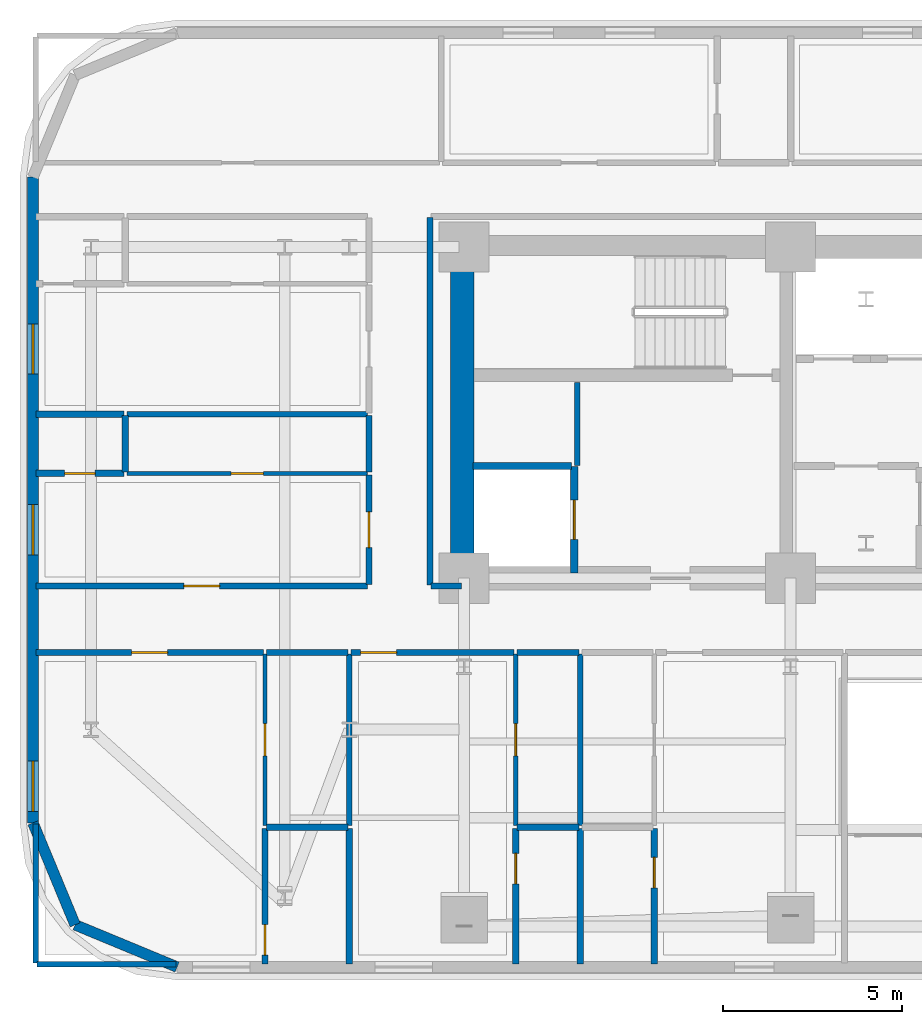
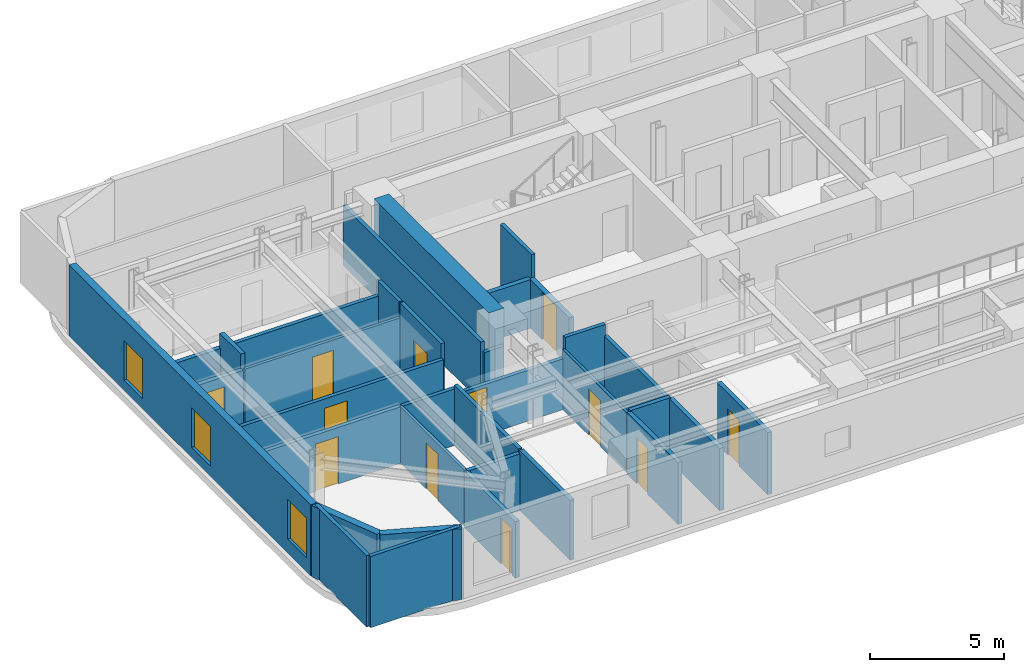
# One storey, part 8 of 16: 34 walls, 12 doors, 3 windows, 15 openings.
"""IFC4 building model written with IfcOpenShell, lengths in metres."""

from ifc_helpers import new_model, si_unit, direction, frame, frame_2d, origin, place, context, subcontext, project, spatial, rectangle, extrude, material, layer, layer_set, type_object, element, fill, save


model = new_model("IFC4")

# Units and contexts
model_context = context("Model", 3, precision=1e-05, world=origin(), true_north=direction((0.0, 1.0)))
body_context = subcontext(model_context, "Body", "Model", "MODEL_VIEW")
ifc_project = project(units=[si_unit("LENGTHUNIT", "METRE"), si_unit("AREAUNIT", "SQUARE_METRE"), si_unit("VOLUMEUNIT", "CUBIC_METRE"), si_unit("PLANEANGLEUNIT", "RADIAN"), si_unit("MASSUNIT", "GRAM", prefix="KILO")], contexts=[model_context])

# Site, building, storey
site_placement = place(None, origin())
site = spatial("IfcSite", under=ifc_project, at=site_placement, CompositionType="ELEMENT")
building_placement = place(site_placement, origin())
building = spatial("IfcBuilding", under=site, at=building_placement, Name="Zarnavel Station Tower", CompositionType="ELEMENT")
storey_placement = place(building_placement, frame((0.0, 0.0, 86.300048828125)))
storey = spatial("IfcBuildingStorey", under=building, at=storey_placement, Name="L23", CompositionType="ELEMENT", Elevation=86.300048828125)

# Wall
ifc_material_1 = material(Name="Concrete C60/75", Category="concrete")
ifc_layer_1 = layer(ifc_material_1, 0.64990234375)
ifc_layer_set_1 = layer_set([ifc_layer_1], Name="CW_650")
wall_type_1 = type_object("IfcWallType", Name="CW_650", PredefinedType="SHEAR", material=ifc_layer_set_1)
wall_1_placement = place(storey_placement, frame((12.14990234375, 28.14501953125, 0.0), z_axis=(0.0, 0.0, 1.0), x_axis=(0.0, 1.0, 0.0)))
element("IfcWall", 1, at=wall_1_placement, inside=storey, type_object=wall_type_1, Name="L23 Rear Core Shear Wall W", PredefinedType="SHEAR", context=body_context, shape_type="SweptSolid", body=[
    extrude(rectangle(XDim=8.580078125, YDim=0.64990234375, at=frame_2d((4.2900390625, 0.0))), origin(), (0.0, 0.0, 1.0), 3.5),
])

# Wall, openings, windows
ifc_material_2 = material(Name="Precast concrete C45/55 (Dark Basalt Finish)", Category="masonry")
ifc_layer_2 = layer(ifc_material_2, 0.300048828125)
ifc_layer_set_2 = layer_set([ifc_layer_2], Name="EW_BASALT_300")
wall_type_2 = type_object("IfcWallType", Name="EW_BASALT_300", PredefinedType="SOLIDWALL", material=ifc_layer_set_2)
wall_2_placement = place(storey_placement, frame((0.179931640625, 21.0, 0.0), z_axis=(0.0, 0.0, 1.0), x_axis=(0.0, 1.0, 0.0)))
wall_2 = element("IfcWall", 2, at=wall_2_placement, inside=storey, type_object=wall_type_2, Name="L23 Exterior Basalt Masonry Frame Wall 09", PredefinedType="SOLIDWALL", context=body_context, shape_type="SweptSolid", body=[
    extrude(rectangle(XDim=18.0, YDim=0.300048828125, at=frame_2d((9.0, 0.0))), origin(), (0.0, 0.0, 1.0), 3.239990234375),
])
opening_1_placement = place(wall_2_placement, frame((7.470458984375, 0.0, 0.47998046875)))
opening_1 = element("IfcOpeningElement", 3, at=opening_1_placement, cuts=wall_2, Name="Opening WN01", PredefinedType="OPENING", context=body_context, shape_type="SweptSolid", body=[
    extrude(rectangle(XDim=1.39990234375, YDim=1.800048828125, at=frame_2d((0.699951171875, 0.89990234375))), frame((0.0, 0.159912109375, 0.0), z_axis=(0.0, -1.0, 0.0), x_axis=(1.0, 0.0, 0.0)), (0.0, 0.0, 1.0), 0.320068359375),
])
opening_2_placement = place(wall_2_placement, frame((12.509033203125, 0.0, 0.47998046875)))
opening_2 = element("IfcOpeningElement", 4, at=opening_2_placement, cuts=wall_2, Name="Opening WN01", PredefinedType="OPENING", context=body_context, shape_type="SweptSolid", body=[
    extrude(rectangle(XDim=1.39990234375, YDim=1.800048828125, at=frame_2d((0.699951171875, 0.89990234375))), frame((0.0, 0.159912109375, 0.0), z_axis=(0.0, -1.0, 0.0), x_axis=(1.0, 0.0, 0.0)), (0.0, 0.0, 1.0), 0.320068359375),
])
opening_3_placement = place(wall_2_placement, frame((0.320068359375, 0.0, 0.64990234375)))
opening_3 = element("IfcOpeningElement", 5, at=opening_3_placement, cuts=wall_2, Name="Opening WN01", PredefinedType="OPENING", context=body_context, shape_type="SweptSolid", body=[
    extrude(rectangle(XDim=1.39990234375, YDim=1.800048828125, at=frame_2d((0.699951171875, 0.89990234375))), frame((0.0, 0.159912109375, 0.0), z_axis=(0.0, -1.0, 0.0), x_axis=(1.0, 0.0, 0.0)), (0.0, 0.0, 1.0), 0.320068359375),
])
ifc_material_3 = material(Name="Thermally Broken Black Aluminium and Low-E Dark Glass", Category="aluminium")
window_type = type_object("IfcWindowType", Name="WN_1400x1800", PartitioningType="DOUBLE_PANEL_VERTICAL", PredefinedType="WINDOW", material=ifc_material_3)
window_1_placement = place(opening_1_placement, origin())
window_1 = element("IfcWindow", 6, at=window_1_placement, inside=storey, type_object=window_type, Name="L23 Recessed Facade Window 01", OverallHeight=1.800048828125, OverallWidth=1.39990234375, PartitioningType="SINGLE_PANEL", PredefinedType="WINDOW", context=body_context, shape_type="SweptSolid", body=[
    extrude(rectangle(XDim=1.39990234375, YDim=1.800048828125, at=frame_2d((0.699951171875, 0.89990234375))), frame((0.0, 0.030029296875, 0.0), z_axis=(0.0, -1.0, 0.0), x_axis=(1.0, 0.0, 0.0)), (0.0, 0.0, 1.0), 0.06005859375),
])
fill(opening_1, window_1)
window_2_placement = place(opening_2_placement, origin())
window_2 = element("IfcWindow", 7, at=window_2_placement, inside=storey, type_object=window_type, Name="L23 Recessed Facade Window 02", OverallHeight=1.800048828125, OverallWidth=1.39990234375, PartitioningType="SINGLE_PANEL", PredefinedType="WINDOW", context=body_context, shape_type="SweptSolid", body=[
    extrude(rectangle(XDim=1.39990234375, YDim=1.800048828125, at=frame_2d((0.699951171875, 0.89990234375))), frame((0.0, 0.030029296875, 0.0), z_axis=(0.0, -1.0, 0.0), x_axis=(1.0, 0.0, 0.0)), (0.0, 0.0, 1.0), 0.06005859375),
])
fill(opening_2, window_2)
window_3_placement = place(opening_3_placement, origin())
window_3 = element("IfcWindow", 8, at=window_3_placement, inside=storey, type_object=window_type, Name="L23 Recessed Facade Window 03", OverallHeight=1.800048828125, OverallWidth=1.39990234375, PartitioningType="SINGLE_PANEL", PredefinedType="WINDOW", context=body_context, shape_type="SweptSolid", body=[
    extrude(rectangle(XDim=1.39990234375, YDim=1.800048828125, at=frame_2d((0.699951171875, 0.89990234375))), frame((0.0, 0.030029296875, 0.0), z_axis=(0.0, -1.0, 0.0), x_axis=(1.0, 0.0, 0.0)), (0.0, 0.0, 1.0), 0.06005859375),
])
fill(opening_3, window_3)

# Walls
for number, where, z_axis, x_axis, name in (
    (9, (1.357421875, 18.157470703125, 0.0), (0.0, 0.0, 1.0), (-0.382704529509, 0.923870793506, 0.0), "L23 Exterior Basalt Masonry Frame Wall 10"),
    (10, (4.199951171875, 16.97998046875, 0.0), (0.0, 0.0, 1.0), (-0.923870793506, 0.382704529509, 0.0), "L23 Exterior Basalt Masonry Frame Wall 11"),
):
    element("IfcWall", number, at=place(storey_placement, frame(where, z_axis=z_axis, x_axis=x_axis)), inside=storey, type_object=wall_type_2, Name=name, PredefinedType="SOLIDWALL", context=body_context, shape_type="SweptSolid", body=[
        extrude(rectangle(XDim=3.07666015625, YDim=0.300048828125, at=frame_2d((1.538330078125, 0.0))), origin(), (0.0, 0.0, 1.0), 3.239990234375),
    ])

# Wall, opening, door
ifc_material_4 = material(Name="Gypsum Twin-Stud Acoustic Fire Partition", Category="concrete")
ifc_layer_3 = layer(ifc_material_4, 0.159912109375)
ifc_layer_set_3 = layer_set([ifc_layer_3], Name="PT_DEMISE_160")
wall_type_3 = type_object("IfcWallType", Name="PT_DEMISE_160", PredefinedType="PARTITIONING", material=ifc_layer_set_3)
wall_3_placement = place(storey_placement, frame((0.260009765625, 27.60009765625, 0.0), z_axis=(0.0, 0.0, 1.0), x_axis=(1.0, 0.0, 0.0)))
wall_3 = element("IfcWall", 11, at=wall_3_placement, inside=storey, type_object=wall_type_3, Name="L23 Partition COR-S-FNW1R", PredefinedType="PARTITIONING", context=body_context, shape_type="SweptSolid", body=[
    extrude(rectangle(XDim=9.25, YDim=0.159912109375, at=frame_2d((4.625, 0.0))), origin(), (0.0, 0.0, 1.0), 2.570068359375),
])
opening_4_placement = place(wall_3_placement, frame((4.125, 0.0, 0.0)))
opening_4 = element("IfcOpeningElement", 12, at=opening_4_placement, cuts=wall_3, Name="Opening FD02", PredefinedType="OPENING", context=body_context, shape_type="SweptSolid", body=[
    extrude(rectangle(XDim=1.0, YDim=2.14990234375, at=frame_2d((0.5, 1.074951171875))), frame((0.0, 0.08984375, 0.0), z_axis=(0.0, -1.0, 0.0), x_axis=(1.0, 0.0, 0.0)), (0.0, 0.0, 1.0), 0.179931640625),
])
ifc_material_5 = material(Name="Painted Galvanised Steel and Hardwood Leaf", Category="steel")
door_type_1 = type_object("IfcDoorType", Name="ID_ENTRY_1000", OperationType="NOTDEFINED", PredefinedType="DOOR", material=ifc_material_5)
door_1_placement = place(opening_4_placement, origin())
door_1 = element("IfcDoor", 13, at=door_1_placement, inside=storey, type_object=door_type_1, Name="L23 Door COR-S-FNW1R", OperationType="SINGLE_SWING_LEFT", OverallHeight=2.14990234375, OverallWidth=1.0, PredefinedType="DOOR", context=body_context, shape_type="SweptSolid", body=[
    extrude(rectangle(XDim=1.0, YDim=2.14990234375, at=frame_2d((0.5, 1.074951171875))), frame((0.0, 0.02490234375, 0.0), z_axis=(0.0, -1.0, 0.0), x_axis=(1.0, 0.0, 0.0)), (0.0, 0.0, 1.0), 0.050048828125),
])
fill(opening_4, door_1)

wall_4_placement = place(storey_placement, frame((0.260009765625, 25.75, 0.0), z_axis=(0.0, 0.0, 1.0), x_axis=(1.0, 0.0, 0.0)))
wall_4 = element("IfcWall", 14, at=wall_4_placement, inside=storey, type_object=wall_type_3, Name="L23 Partition COR-S-HW1R", PredefinedType="PARTITIONING", context=body_context, shape_type="SweptSolid", body=[
    extrude(rectangle(XDim=6.35009765625, YDim=0.159912109375, at=frame_2d((3.175048828125, 0.0))), origin(), (0.0, 0.0, 1.0), 2.570068359375),
])
opening_5_placement = place(wall_4_placement, frame((2.675048828125, 0.0, 0.0)))
opening_5 = element("IfcOpeningElement", 15, at=opening_5_placement, cuts=wall_4, Name="Opening FD02", PredefinedType="OPENING", context=body_context, shape_type="SweptSolid", body=[
    extrude(rectangle(XDim=1.0, YDim=2.14990234375, at=frame_2d((0.5, 1.074951171875))), frame((0.0, 0.08984375, 0.0), z_axis=(0.0, -1.0, 0.0), x_axis=(1.0, 0.0, 0.0)), (0.0, 0.0, 1.0), 0.179931640625),
])
door_2_placement = place(opening_5_placement, origin())
door_2 = element("IfcDoor", 16, at=door_2_placement, inside=storey, type_object=door_type_1, Name="L23 Door COR-S-HW1R", OperationType="SINGLE_SWING_LEFT", OverallHeight=2.14990234375, OverallWidth=1.0, PredefinedType="DOOR", context=body_context, shape_type="SweptSolid", body=[
    extrude(rectangle(XDim=1.0, YDim=2.14990234375, at=frame_2d((0.5, 1.074951171875))), frame((0.0, 0.02490234375, 0.0), z_axis=(0.0, -1.0, 0.0), x_axis=(1.0, 0.0, 0.0)), (0.0, 0.0, 1.0), 0.050048828125),
])
fill(opening_5, door_2)

# Wall
wall_5_placement = place(storey_placement, frame((6.68994140625, 25.75, 0.0), z_axis=(0.0, 0.0, 1.0), x_axis=(1.0, 0.0, 0.0)))
element("IfcWall", 17, at=wall_5_placement, inside=storey, type_object=wall_type_3, Name="L23 Partition COR-S-HW1S", PredefinedType="PARTITIONING", context=body_context, shape_type="SweptSolid", body=[
    extrude(rectangle(XDim=2.27001953125, YDim=0.159912109375, at=frame_2d((1.135009765625, 0.0))), origin(), (0.0, 0.0, 1.0), 2.570068359375),
])

# Wall, opening, door
wall_6_placement = place(storey_placement, frame((9.0400390625, 25.75, 0.0), z_axis=(0.0, 0.0, 1.0), x_axis=(1.0, 0.0, 0.0)))
wall_6 = element("IfcWall", 18, at=wall_6_placement, inside=storey, type_object=wall_type_3, Name="L23 Partition COR-S-HW2R", PredefinedType="PARTITIONING", context=body_context, shape_type="SweptSolid", body=[
    extrude(rectangle(XDim=4.556884765625, YDim=0.159912109375, at=frame_2d((2.2783203125, 0.0))), origin(), (0.0, 0.0, 1.0), 2.31005859375),
])
opening_6_placement = place(wall_6_placement, frame((0.276611328125, 0.0, 0.0)))
opening_6 = element("IfcOpeningElement", 19, at=opening_6_placement, cuts=wall_6, Name="Opening FD02", PredefinedType="OPENING", context=body_context, shape_type="SweptSolid", body=[
    extrude(rectangle(XDim=1.0, YDim=2.14990234375, at=frame_2d((0.5, 1.074951171875))), frame((0.0, 0.08984375, 0.0), z_axis=(0.0, -1.0, 0.0), x_axis=(1.0, 0.0, 0.0)), (0.0, 0.0, 1.0), 0.179931640625),
])
door_3_placement = place(opening_6_placement, origin())
door_3 = element("IfcDoor", 20, at=door_3_placement, inside=storey, type_object=door_type_1, Name="L23 Door COR-S-HW2R", OperationType="SINGLE_SWING_RIGHT", OverallHeight=2.14990234375, OverallWidth=1.0, PredefinedType="DOOR", context=body_context, shape_type="SweptSolid", body=[
    extrude(rectangle(XDim=1.0, YDim=2.14990234375, at=frame_2d((0.5, 1.074951171875))), frame((0.0, 0.02490234375, 0.0), z_axis=(0.0, -1.0, 0.0), x_axis=(1.0, 0.0, 0.0)), (0.0, 0.0, 1.0), 0.050048828125),
])
fill(opening_6, door_3)

# Wall
wall_7_placement = place(storey_placement, frame((13.677001953125, 25.75, 0.0), z_axis=(0.0, 0.0, 1.0), x_axis=(1.0, 0.0, 0.0)))
element("IfcWall", 21, at=wall_7_placement, inside=storey, type_object=wall_type_3, Name="L23 Partition COR-S-HW2S", PredefinedType="PARTITIONING", context=body_context, shape_type="SweptSolid", body=[
    extrude(rectangle(XDim=1.722900390625, YDim=0.159912109375, at=frame_2d((0.861328125, 0.0))), origin(), (0.0, 0.0, 1.0), 3.239990234375),
])

# Wall, opening, door
wall_8_placement = place(storey_placement, frame((9.550048828125, 27.639892578125, 0.0), z_axis=(0.0, 0.0, 1.0), x_axis=(0.0, 1.0, 0.0)))
wall_8 = element("IfcWall", 22, at=wall_8_placement, inside=storey, type_object=wall_type_3, Name="L23 Partition COR-W-FNW1R", PredefinedType="PARTITIONING", context=body_context, shape_type="SweptSolid", body=[
    extrude(rectangle(XDim=3.06103515625, YDim=0.159912109375, at=frame_2d((1.530517578125, 0.0))), origin(), (0.0, 0.0, 1.0), 3.239990234375),
])
opening_7_placement = place(wall_8_placement, frame((1.030517578125, 0.0, 0.0)))
opening_7 = element("IfcOpeningElement", 23, at=opening_7_placement, cuts=wall_8, Name="Opening FD02", PredefinedType="OPENING", context=body_context, shape_type="SweptSolid", body=[
    extrude(rectangle(XDim=1.0, YDim=2.14990234375, at=frame_2d((0.5, 1.074951171875))), frame((0.0, 0.08984375, 0.0), z_axis=(0.0, -1.0, 0.0), x_axis=(1.0, 0.0, 0.0)), (0.0, 0.0, 1.0), 0.179931640625),
])
door_4_placement = place(opening_7_placement, origin())
door_4 = element("IfcDoor", 24, at=door_4_placement, inside=storey, type_object=door_type_1, Name="L23 Door COR-W-FNW1R", OperationType="SINGLE_SWING_LEFT", OverallHeight=2.14990234375, OverallWidth=1.0, PredefinedType="DOOR", context=body_context, shape_type="SweptSolid", body=[
    extrude(rectangle(XDim=1.0, YDim=2.14990234375, at=frame_2d((0.5, 1.074951171875))), frame((0.0, 0.02490234375, 0.0), z_axis=(0.0, -1.0, 0.0), x_axis=(1.0, 0.0, 0.0)), (0.0, 0.0, 1.0), 0.050048828125),
])
fill(opening_7, door_4)

# Walls
wall_9_placement = place(storey_placement, frame((9.550048828125, 30.781005859375, 0.0), z_axis=(0.0, 0.0, 1.0), x_axis=(0.0, 1.0, 0.0)))
element("IfcWall", 25, at=wall_9_placement, inside=storey, type_object=wall_type_3, Name="L23 Partition COR-W-FNW1S", PredefinedType="PARTITIONING", context=body_context, shape_type="SweptSolid", body=[
    extrude(rectangle(XDim=1.570068359375, YDim=0.159912109375, at=frame_2d((0.78515625, 0.0))), origin(), (0.0, 0.0, 1.0), 3.239990234375),
])
wall_10_placement = place(storey_placement, frame((2.800048828125, 32.39111328125, 0.0), z_axis=(0.0, 0.0, 1.0), x_axis=(1.0, 0.0, 0.0)))
element("IfcWall", 26, at=wall_10_placement, inside=storey, type_object=wall_type_3, Name="L23 Partition FNW1S-FNW2R", PredefinedType="PARTITIONING", context=body_context, shape_type="SweptSolid", body=[
    extrude(rectangle(XDim=6.7099609375, YDim=0.159912109375, at=frame_2d((3.35498046875, 0.0))), origin(), (0.0, 0.0, 1.0), 2.570068359375),
])
for number, where, z_axis, x_axis, name in (
    (27, (9.0, 20.924072265625, 0.0), (0.0, 0.0, 1.0), (0.0, 1.0, 0.0), "L23 Partition HW1S-HW2R"),
    (28, (15.43994140625, 20.924072265625, 0.0), (0.0, 0.0, 1.0), (0.0, 1.0, 0.0), "L23 Partition HW2S-HW3S"),
):
    element("IfcWall", number, at=place(storey_placement, frame(where, z_axis=z_axis, x_axis=x_axis)), inside=storey, type_object=wall_type_3, Name=name, PredefinedType="PARTITIONING", context=body_context, shape_type="SweptSolid", body=[
        extrude(rectangle(XDim=4.785888671875, YDim=0.159912109375, at=frame_2d((2.39306640625, 0.0))), origin(), (0.0, 0.0, 1.0), 2.719970703125),
    ])
wall_11_placement = place(storey_placement, frame((15.35009765625, 30.9599609375, 0.0), z_axis=(0.0, 0.0, 1.0), x_axis=(0.0, 1.0, 0.0)))
element("IfcWall", 29, at=wall_11_placement, inside=storey, type_object=wall_type_3, Name="L23 Enclosure Wall FFL1", PredefinedType="PARTITIONING", context=body_context, shape_type="SweptSolid", body=[
    extrude(rectangle(XDim=2.31005859375, YDim=0.159912109375, at=frame_2d((1.155029296875, 0.0))), origin(), (0.0, 0.0, 1.0), 3.239990234375),
])
wall_12_placement = place(storey_placement, frame((11.280029296875, 27.60009765625, 0.0), z_axis=(0.0, 0.0, 1.0), x_axis=(1.0, 0.0, 0.0)))
element("IfcWall", 30, at=wall_12_placement, inside=storey, type_object=wall_type_3, Name="L23 Enclosure Wall COR-S", PredefinedType="PARTITIONING", context=body_context, shape_type="SweptSolid", body=[
    extrude(rectangle(XDim=0.840087890625, YDim=0.159912109375, at=frame_2d((0.419921875, 0.0))), origin(), (0.0, 0.0, 1.0), 2.280029296875),
])
wall_13_placement = place(storey_placement, frame((11.25, 27.6298828125, 0.0), z_axis=(0.0, 0.0, 1.0), x_axis=(0.0, 1.0, 0.0)))
element("IfcWall", 31, at=wall_13_placement, inside=storey, type_object=wall_type_3, Name="L23 Enclosure Wall COR-W", PredefinedType="PARTITIONING", context=body_context, shape_type="SweptSolid", body=[
    extrude(rectangle(XDim=10.240234375, YDim=0.159912109375, at=frame_2d((5.1201171875, 0.0))), origin(), (0.0, 0.0, 1.0), 2.719970703125),
])
for number, where, z_axis, x_axis, name in (
    (32, (0.2900390625, 17.06005859375, 0.0), (0.0, 0.0, 1.0), (1.0, 0.0, 0.0), "L23 Enclosure Wall HW1R"),
    (33, (0.260009765625, 17.090087890625, 0.0), (0.0, 0.0, 1.0), (0.0, 1.0, 0.0), "L23 Enclosure Wall HW1R"),
):
    element("IfcWall", number, at=place(storey_placement, frame(where, z_axis=z_axis, x_axis=x_axis)), inside=storey, type_object=wall_type_3, Name=name, PredefinedType="PARTITIONING", context=body_context, shape_type="SweptSolid", body=[
        extrude(rectangle(XDim=3.8798828125, YDim=0.159912109375, at=frame_2d((1.93994140625, 0.0))), origin(), (0.0, 0.0, 1.0), 3.239990234375),
    ])

# Wall, opening, door
ifc_material_6 = material(Name="Gypsum Metal-Stud Interior Partition", Category="concrete")
ifc_layer_4 = layer(ifc_material_6, 0.1201171875)
ifc_layer_set_4 = layer_set([ifc_layer_4], Name="PT_ROOM_120")
wall_type_4 = type_object("IfcWallType", Name="PT_ROOM_120", PredefinedType="PARTITIONING", material=ifc_layer_set_4)
wall_14_placement = place(storey_placement, frame((2.800048828125, 30.740966796875, 0.0), z_axis=(0.0, 0.0, 1.0), x_axis=(1.0, 0.0, 0.0)))
wall_14 = element("IfcWall", 34, at=wall_14_placement, inside=storey, type_object=wall_type_4, Name="L23 Partition FNW1R-FNW1S", PredefinedType="PARTITIONING", context=body_context, shape_type="SweptSolid", body=[
    extrude(rectangle(XDim=6.7099609375, YDim=0.1201171875, at=frame_2d((3.35498046875, 0.0))), origin(), (0.0, 0.0, 1.0), 2.570068359375),
])
opening_8_placement = place(wall_14_placement, frame((2.905029296875, 0.0, 0.0)))
opening_8 = element("IfcOpeningElement", 35, at=opening_8_placement, cuts=wall_14, Name="Opening ID01", PredefinedType="OPENING", context=body_context, shape_type="SweptSolid", body=[
    extrude(rectangle(XDim=0.89990234375, YDim=2.10009765625, at=frame_2d((0.449951171875, 1.050048828125))), frame((0.0, 0.070068359375, 0.0), z_axis=(0.0, -1.0, 0.0), x_axis=(1.0, 0.0, 0.0)), (0.0, 0.0, 1.0), 0.14013671875),
])
ifc_material_7 = material(Name="Painted Galvanised Steel and Hardwood Leaf", Category="steel")
door_type_2 = type_object("IfcDoorType", Name="ID_ROOM_900", OperationType="NOTDEFINED", PredefinedType="DOOR", material=ifc_material_7)
door_5_placement = place(opening_8_placement, origin())
door_5 = element("IfcDoor", 36, at=door_5_placement, inside=storey, type_object=door_type_2, Name="L23 Door FNW1R-FNW1S", OperationType="SINGLE_SWING_RIGHT", OverallHeight=2.10009765625, OverallWidth=0.89990234375, PredefinedType="DOOR", context=body_context, shape_type="SweptSolid", body=[
    extrude(rectangle(XDim=0.89990234375, YDim=2.10009765625, at=frame_2d((0.449951171875, 1.050048828125))), frame((0.0, 0.02490234375, 0.0), z_axis=(0.0, -1.0, 0.0), x_axis=(1.0, 0.0, 0.0)), (0.0, 0.0, 1.0), 0.050048828125),
])
fill(opening_8, door_5)

wall_15_placement = place(storey_placement, frame((6.64990234375, 20.924072265625, 0.0), z_axis=(0.0, 0.0, 1.0), x_axis=(0.0, 1.0, 0.0)))
wall_15 = element("IfcWall", 37, at=wall_15_placement, inside=storey, type_object=wall_type_4, Name="L23 Partition HW1R-HW1S", PredefinedType="PARTITIONING", context=body_context, shape_type="SweptSolid", body=[
    extrude(rectangle(XDim=4.785888671875, YDim=0.1201171875, at=frame_2d((2.39306640625, 0.0))), origin(), (0.0, 0.0, 1.0), 2.570068359375),
])
opening_9_placement = place(wall_15_placement, frame((1.943115234375, 0.0, 0.0)))
opening_9 = element("IfcOpeningElement", 38, at=opening_9_placement, cuts=wall_15, Name="Opening ID01", PredefinedType="OPENING", context=body_context, shape_type="SweptSolid", body=[
    extrude(rectangle(XDim=0.89990234375, YDim=2.10009765625, at=frame_2d((0.449951171875, 1.050048828125))), frame((0.0, 0.070068359375, 0.0), z_axis=(0.0, -1.0, 0.0), x_axis=(1.0, 0.0, 0.0)), (0.0, 0.0, 1.0), 0.14013671875),
])
door_6_placement = place(opening_9_placement, origin())
door_6 = element("IfcDoor", 39, at=door_6_placement, inside=storey, type_object=door_type_2, Name="L23 Door HW1R-HW1S", OperationType="SINGLE_SWING_LEFT", OverallHeight=2.10009765625, OverallWidth=0.89990234375, PredefinedType="DOOR", context=body_context, shape_type="SweptSolid", body=[
    extrude(rectangle(XDim=0.89990234375, YDim=2.10009765625, at=frame_2d((0.449951171875, 1.050048828125))), frame((0.0, 0.02490234375, 0.0), z_axis=(0.0, -1.0, 0.0), x_axis=(1.0, 0.0, 0.0)), (0.0, 0.0, 1.0), 0.050048828125),
])
fill(opening_9, door_6)

wall_16_placement = place(storey_placement, frame((13.636962890625, 20.924072265625, 0.0), z_axis=(0.0, 0.0, 1.0), x_axis=(0.0, 1.0, 0.0)))
wall_16 = element("IfcWall", 40, at=wall_16_placement, inside=storey, type_object=wall_type_4, Name="L23 Partition HW2R-HW2S", PredefinedType="PARTITIONING", context=body_context, shape_type="SweptSolid", body=[
    extrude(rectangle(XDim=4.785888671875, YDim=0.1201171875, at=frame_2d((2.39306640625, 0.0))), origin(), (0.0, 0.0, 1.0), 2.719970703125),
])
opening_10_placement = place(wall_16_placement, frame((1.943115234375, 0.0, 0.0)))
opening_10 = element("IfcOpeningElement", 41, at=opening_10_placement, cuts=wall_16, Name="Opening ID01", PredefinedType="OPENING", context=body_context, shape_type="SweptSolid", body=[
    extrude(rectangle(XDim=0.89990234375, YDim=2.10009765625, at=frame_2d((0.449951171875, 1.050048828125))), frame((0.0, 0.070068359375, 0.0), z_axis=(0.0, -1.0, 0.0), x_axis=(1.0, 0.0, 0.0)), (0.0, 0.0, 1.0), 0.14013671875),
])
door_7_placement = place(opening_10_placement, origin())
door_7 = element("IfcDoor", 42, at=door_7_placement, inside=storey, type_object=door_type_2, Name="L23 Door HW2R-HW2S", OperationType="SINGLE_SWING_LEFT", OverallHeight=2.10009765625, OverallWidth=0.89990234375, PredefinedType="DOOR", context=body_context, shape_type="SweptSolid", body=[
    extrude(rectangle(XDim=0.89990234375, YDim=2.10009765625, at=frame_2d((0.449951171875, 1.050048828125))), frame((0.0, 0.02490234375, 0.0), z_axis=(0.0, -1.0, 0.0), x_axis=(1.0, 0.0, 0.0)), (0.0, 0.0, 1.0), 0.050048828125),
])
fill(opening_10, door_7)

ifc_material_8 = material(Name="Precast concrete C45/55 (Fire Shaft Blockwork)", Category="masonry")
ifc_layer_5 = layer(ifc_material_8, 0.199951171875)
ifc_layer_set_5 = layer_set([ifc_layer_5], Name="PT_SHAFT_200")
wall_type_5 = type_object("IfcWallType", Name="PT_SHAFT_200", PredefinedType="PARTITIONING", material=ifc_layer_set_5)
wall_17_placement = place(storey_placement, frame((15.27001953125, 27.969970703125, 0.0), z_axis=(0.0, 0.0, 1.0), x_axis=(0.0, 1.0, 0.0)))
wall_17 = element("IfcWall", 43, at=wall_17_placement, inside=storey, type_object=wall_type_5, Name="L23 Lift FFL-01 Shaft Front Wall", PredefinedType="PARTITIONING", context=body_context, shape_type="SweptSolid", body=[
    extrude(rectangle(XDim=2.9599609375, YDim=0.199951171875, at=frame_2d((1.47998046875, 0.0))), origin(), (0.0, 0.0, 1.0), 2.2119140625),
])
opening_11_placement = place(wall_17_placement, frame((0.929931640625, 0.0, 0.0)))
opening_11 = element("IfcOpeningElement", 44, at=opening_11_placement, cuts=wall_17, Name="Opening LD01", PredefinedType="OPENING", context=body_context, shape_type="SweptSolid", body=[
    extrude(rectangle(XDim=1.10009765625, YDim=2.14990234375, at=frame_2d((0.550048828125, 1.074951171875))), frame((0.0, 0.10986328125, 0.0), z_axis=(0.0, -1.0, 0.0), x_axis=(1.0, 0.0, 0.0)), (0.0, 0.0, 1.0), 0.219970703125),
])
ifc_material_9 = material(Name="Painted Galvanised Steel and Hardwood Leaf", Category="steel")
door_type_3 = type_object("IfcDoorType", Name="LD_FF_1100", OperationType="DOUBLE_DOOR_SLIDING", PredefinedType="DOOR", material=ifc_material_9)
door_8_placement = place(opening_11_placement, origin())
door_8 = element("IfcDoor", 45, at=door_8_placement, inside=storey, type_object=door_type_3, Name="L23 Lift FFL-01 Sliding Landing Door", OperationType="DOUBLE_DOOR_SLIDING", OverallHeight=2.14990234375, OverallWidth=1.10009765625, PredefinedType="DOOR", context=body_context, shape_type="SweptSolid", body=[
    extrude(rectangle(XDim=1.10009765625, YDim=2.14990234375, at=frame_2d((0.550048828125, 1.074951171875))), frame((0.0, 0.02490234375, 0.0), z_axis=(0.0, -1.0, 0.0), x_axis=(1.0, 0.0, 0.0)), (0.0, 0.0, 1.0), 0.050048828125),
])
fill(opening_11, door_8)

# Wall
wall_18_placement = place(storey_placement, frame((12.449951171875, 30.949951171875, 0.0), z_axis=(0.0, 0.0, 1.0), x_axis=(1.0, 0.0, 0.0)))
element("IfcWall", 46, at=wall_18_placement, inside=storey, type_object=wall_type_5, Name="L23 Lift FFL-01 North Shaft Wall", PredefinedType="PARTITIONING", context=body_context, shape_type="SweptSolid", body=[
    extrude(rectangle(XDim=2.75, YDim=0.199951171875, at=frame_2d((1.375, 0.0))), origin(), (0.0, 0.0, 1.0), 2.2119140625),
])

# Wall, opening, door
ifc_material_10 = material(Name="Moisture-Resistant Plumbing Chase Wall", Category="concrete")
ifc_layer_6 = layer(ifc_material_10, 0.179931640625)
ifc_layer_set_6 = layer_set([ifc_layer_6], Name="PW_PLUMB_180")
wall_type_6 = type_object("IfcWallType", Name="PW_PLUMB_180", PredefinedType="PLUMBINGWALL", material=ifc_layer_set_6)
wall_19_placement = place(storey_placement, frame((0.260009765625, 30.740966796875, 0.0), z_axis=(0.0, 0.0, 1.0), x_axis=(1.0, 0.0, 0.0)))
wall_19 = element("IfcWall", 47, at=wall_19_placement, inside=storey, type_object=wall_type_6, Name="L23 Partition FNW1R-FNW1B", PredefinedType="PLUMBINGWALL", context=body_context, shape_type="SweptSolid", body=[
    extrude(rectangle(XDim=2.4599609375, YDim=0.179931640625, at=frame_2d((1.22998046875, 0.0))), origin(), (0.0, 0.0, 1.0), 2.570068359375),
])
opening_12_placement = place(wall_19_placement, frame((0.804931640625, 0.0, 0.0)))
opening_12 = element("IfcOpeningElement", 48, at=opening_12_placement, cuts=wall_19, Name="Opening ID02", PredefinedType="OPENING", context=body_context, shape_type="SweptSolid", body=[
    extrude(rectangle(XDim=0.85009765625, YDim=2.10009765625, at=frame_2d((0.425048828125, 1.050048828125))), frame((0.0, 0.099853515625, 0.0), z_axis=(0.0, -1.0, 0.0), x_axis=(1.0, 0.0, 0.0)), (0.0, 0.0, 1.0), 0.199951171875),
])
ifc_material_11 = material(Name="Painted Galvanised Steel and Hardwood Leaf", Category="steel")
door_type_4 = type_object("IfcDoorType", Name="ID_BATH_850", OperationType="NOTDEFINED", PredefinedType="DOOR", material=ifc_material_11)
door_9_placement = place(opening_12_placement, origin())
door_9 = element("IfcDoor", 49, at=door_9_placement, inside=storey, type_object=door_type_4, Name="L23 Door FNW1R-FNW1B", OperationType="SINGLE_SWING_LEFT", OverallHeight=2.10009765625, OverallWidth=0.85009765625, PredefinedType="DOOR", context=body_context, shape_type="SweptSolid", body=[
    extrude(rectangle(XDim=0.85009765625, YDim=2.10009765625, at=frame_2d((0.425048828125, 1.050048828125))), frame((0.0, 0.02490234375, 0.0), z_axis=(0.0, -1.0, 0.0), x_axis=(1.0, 0.0, 0.0)), (0.0, 0.0, 1.0), 0.050048828125),
])
fill(opening_12, door_9)

# Walls
wall_20_placement = place(storey_placement, frame((2.760009765625, 30.781005859375, 0.0), z_axis=(0.0, 0.0, 1.0), x_axis=(0.0, 1.0, 0.0)))
element("IfcWall", 50, at=wall_20_placement, inside=storey, type_object=wall_type_6, Name="L23 Partition FNW1B-FNW1S", PredefinedType="PLUMBINGWALL", context=body_context, shape_type="SweptSolid", body=[
    extrude(rectangle(XDim=1.570068359375, YDim=0.179931640625, at=frame_2d((0.78515625, 0.0))), origin(), (0.0, 0.0, 1.0), 3.239990234375),
])
wall_21_placement = place(storey_placement, frame((0.260009765625, 32.39111328125, 0.0), z_axis=(0.0, 0.0, 1.0), x_axis=(1.0, 0.0, 0.0)))
element("IfcWall", 51, at=wall_21_placement, inside=storey, type_object=wall_type_6, Name="L23 Partition FNW1B-FNW2R", PredefinedType="PLUMBINGWALL", context=body_context, shape_type="SweptSolid", body=[
    extrude(rectangle(XDim=2.4599609375, YDim=0.179931640625, at=frame_2d((1.22998046875, 0.0))), origin(), (0.0, 0.0, 1.0), 2.570068359375),
])

# Wall, opening, door
wall_22_placement = place(storey_placement, frame((6.64990234375, 17.06005859375, 0.0), z_axis=(0.0, 0.0, 1.0), x_axis=(0.0, 1.0, 0.0)))
wall_22 = element("IfcWall", 52, at=wall_22_placement, inside=storey, type_object=wall_type_6, Name="L23 Partition HW1R-HW1B", PredefinedType="PLUMBINGWALL", context=body_context, shape_type="SweptSolid", body=[
    extrude(rectangle(XDim=3.783935546875, YDim=0.179931640625, at=frame_2d((1.89208984375, 0.0))), origin(), (0.0, 0.0, 1.0), 2.570068359375),
])
opening_13_placement = place(wall_22_placement, frame((0.25048828125, 0.0, 0.0)))
opening_13 = element("IfcOpeningElement", 53, at=opening_13_placement, cuts=wall_22, Name="Opening ID02", PredefinedType="OPENING", context=body_context, shape_type="SweptSolid", body=[
    extrude(rectangle(XDim=0.85009765625, YDim=2.10009765625, at=frame_2d((0.425048828125, 1.050048828125))), frame((0.0, 0.099853515625, 0.0), z_axis=(0.0, -1.0, 0.0), x_axis=(1.0, 0.0, 0.0)), (0.0, 0.0, 1.0), 0.199951171875),
])
door_10_placement = place(opening_13_placement, origin())
door_10 = element("IfcDoor", 54, at=door_10_placement, inside=storey, type_object=door_type_4, Name="L23 Door HW1R-HW1B", OperationType="SINGLE_SWING_RIGHT", OverallHeight=2.10009765625, OverallWidth=0.85009765625, PredefinedType="DOOR", context=body_context, shape_type="SweptSolid", body=[
    extrude(rectangle(XDim=0.85009765625, YDim=2.10009765625, at=frame_2d((0.425048828125, 1.050048828125))), frame((0.0, 0.02490234375, 0.0), z_axis=(0.0, -1.0, 0.0), x_axis=(1.0, 0.0, 0.0)), (0.0, 0.0, 1.0), 0.050048828125),
])
fill(opening_13, door_10)

# Walls
wall_23_placement = place(storey_placement, frame((6.68994140625, 20.884033203125, 0.0), z_axis=(0.0, 0.0, 1.0), x_axis=(1.0, 0.0, 0.0)))
element("IfcWall", 55, at=wall_23_placement, inside=storey, type_object=wall_type_6, Name="L23 Partition HW1B-HW1S", PredefinedType="PLUMBINGWALL", context=body_context, shape_type="SweptSolid", body=[
    extrude(rectangle(XDim=2.27001953125, YDim=0.179931640625, at=frame_2d((1.135009765625, 0.0))), origin(), (0.0, 0.0, 1.0), 2.570068359375),
])
wall_24_placement = place(storey_placement, frame((9.0, 17.06005859375, 0.0), z_axis=(0.0, 0.0, 1.0), x_axis=(0.0, 1.0, 0.0)))
element("IfcWall", 56, at=wall_24_placement, inside=storey, type_object=wall_type_6, Name="L23 Partition HW1B-HW2R", PredefinedType="PLUMBINGWALL", context=body_context, shape_type="SweptSolid", body=[
    extrude(rectangle(XDim=3.783935546875, YDim=0.179931640625, at=frame_2d((1.89208984375, 0.0))), origin(), (0.0, 0.0, 1.0), 2.719970703125),
])

# Wall, opening, door
wall_25_placement = place(storey_placement, frame((13.636962890625, 17.06005859375, 0.0), z_axis=(0.0, 0.0, 1.0), x_axis=(0.0, 1.0, 0.0)))
wall_25 = element("IfcWall", 57, at=wall_25_placement, inside=storey, type_object=wall_type_6, Name="L23 Partition HW2R-HW2B", PredefinedType="PLUMBINGWALL", context=body_context, shape_type="SweptSolid", body=[
    extrude(rectangle(XDim=3.783935546875, YDim=0.179931640625, at=frame_2d((1.89208984375, 0.0))), origin(), (0.0, 0.0, 1.0), 2.820068359375),
])
opening_14_placement = place(wall_25_placement, frame((2.2412109375, 0.0, 0.0)))
opening_14 = element("IfcOpeningElement", 58, at=opening_14_placement, cuts=wall_25, Name="Opening ID02", PredefinedType="OPENING", context=body_context, shape_type="SweptSolid", body=[
    extrude(rectangle(XDim=0.85009765625, YDim=2.10009765625, at=frame_2d((0.425048828125, 1.050048828125))), frame((0.0, 0.099853515625, 0.0), z_axis=(0.0, -1.0, 0.0), x_axis=(1.0, 0.0, 0.0)), (0.0, 0.0, 1.0), 0.199951171875),
])
door_11_placement = place(opening_14_placement, origin())
door_11 = element("IfcDoor", 59, at=door_11_placement, inside=storey, type_object=door_type_4, Name="L23 Door HW2R-HW2B", OperationType="SINGLE_SWING_RIGHT", OverallHeight=2.10009765625, OverallWidth=0.85009765625, PredefinedType="DOOR", context=body_context, shape_type="SweptSolid", body=[
    extrude(rectangle(XDim=0.85009765625, YDim=2.10009765625, at=frame_2d((0.425048828125, 1.050048828125))), frame((0.0, 0.02490234375, 0.0), z_axis=(0.0, -1.0, 0.0), x_axis=(1.0, 0.0, 0.0)), (0.0, 0.0, 1.0), 0.050048828125),
])
fill(opening_14, door_11)

# Walls
wall_26_placement = place(storey_placement, frame((13.677001953125, 20.884033203125, 0.0), z_axis=(0.0, 0.0, 1.0), x_axis=(1.0, 0.0, 0.0)))
element("IfcWall", 60, at=wall_26_placement, inside=storey, type_object=wall_type_6, Name="L23 Partition HW2B-HW2S", PredefinedType="PLUMBINGWALL", context=body_context, shape_type="SweptSolid", body=[
    extrude(rectangle(XDim=1.722900390625, YDim=0.179931640625, at=frame_2d((0.861328125, 0.0))), origin(), (0.0, 0.0, 1.0), 2.869873046875),
])
wall_27_placement = place(storey_placement, frame((15.43994140625, 17.06005859375, 0.0), z_axis=(0.0, 0.0, 1.0), x_axis=(0.0, 1.0, 0.0)))
element("IfcWall", 61, at=wall_27_placement, inside=storey, type_object=wall_type_6, Name="L23 Partition HW2B-HW3B", PredefinedType="PLUMBINGWALL", context=body_context, shape_type="SweptSolid", body=[
    extrude(rectangle(XDim=3.783935546875, YDim=0.179931640625, at=frame_2d((1.89208984375, 0.0))), origin(), (0.0, 0.0, 1.0), 2.820068359375),
])

# Wall, opening, door
wall_28_placement = place(storey_placement, frame((17.5009765625, 17.06005859375, 0.0), z_axis=(0.0, 0.0, 1.0), x_axis=(0.0, 1.0, 0.0)))
wall_28 = element("IfcWall", 62, at=wall_28_placement, inside=storey, type_object=wall_type_6, Name="L23 Partition HW3R-HW3B", PredefinedType="PLUMBINGWALL", context=body_context, shape_type="SweptSolid", body=[
    extrude(rectangle(XDim=3.783935546875, YDim=0.179931640625, at=frame_2d((1.89208984375, 0.0))), origin(), (0.0, 0.0, 1.0), 2.820068359375),
])
opening_15_placement = place(wall_28_placement, frame((2.130615234375, 0.0, 0.0)))
opening_15 = element("IfcOpeningElement", 63, at=opening_15_placement, cuts=wall_28, Name="Opening ID02", PredefinedType="OPENING", context=body_context, shape_type="SweptSolid", body=[
    extrude(rectangle(XDim=0.85009765625, YDim=2.10009765625, at=frame_2d((0.425048828125, 1.050048828125))), frame((0.0, 0.099853515625, 0.0), z_axis=(0.0, -1.0, 0.0), x_axis=(1.0, 0.0, 0.0)), (0.0, 0.0, 1.0), 0.199951171875),
])
door_12_placement = place(opening_15_placement, origin())
door_12 = element("IfcDoor", 64, at=door_12_placement, inside=storey, type_object=door_type_4, Name="L23 Door HW3R-HW3B", OperationType="SINGLE_SWING_RIGHT", OverallHeight=2.10009765625, OverallWidth=0.85009765625, PredefinedType="DOOR", context=body_context, shape_type="SweptSolid", body=[
    extrude(rectangle(XDim=0.85009765625, YDim=2.10009765625, at=frame_2d((0.425048828125, 1.050048828125))), frame((0.0, 0.02490234375, 0.0), z_axis=(0.0, -1.0, 0.0), x_axis=(1.0, 0.0, 0.0)), (0.0, 0.0, 1.0), 0.050048828125),
])
fill(opening_15, door_12)

save(model, "model.ifc")
